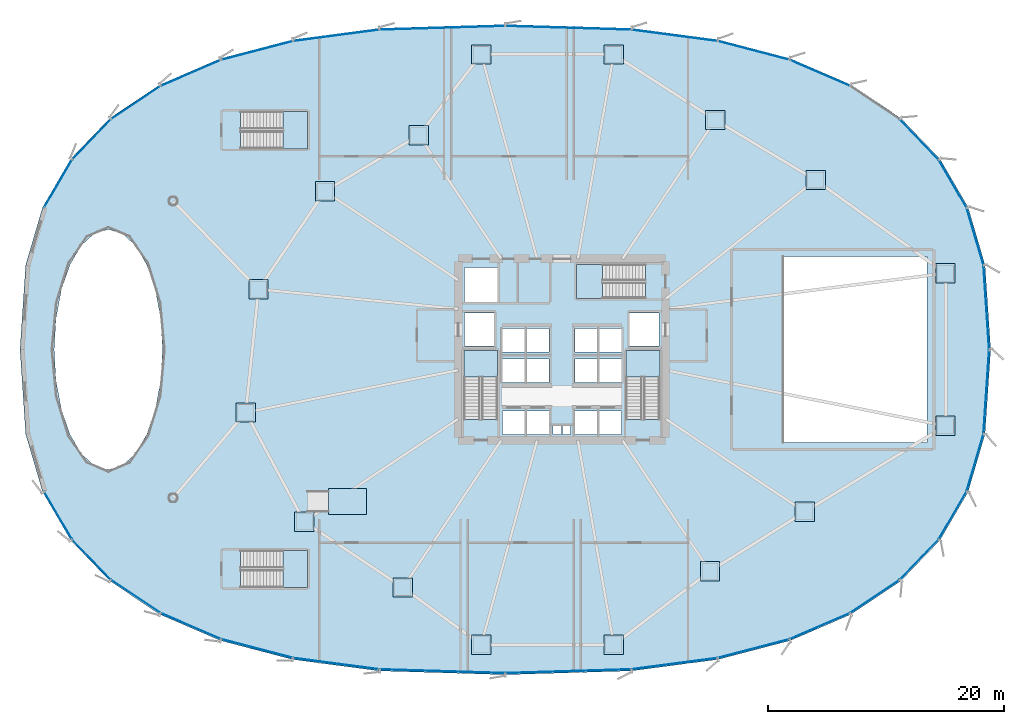
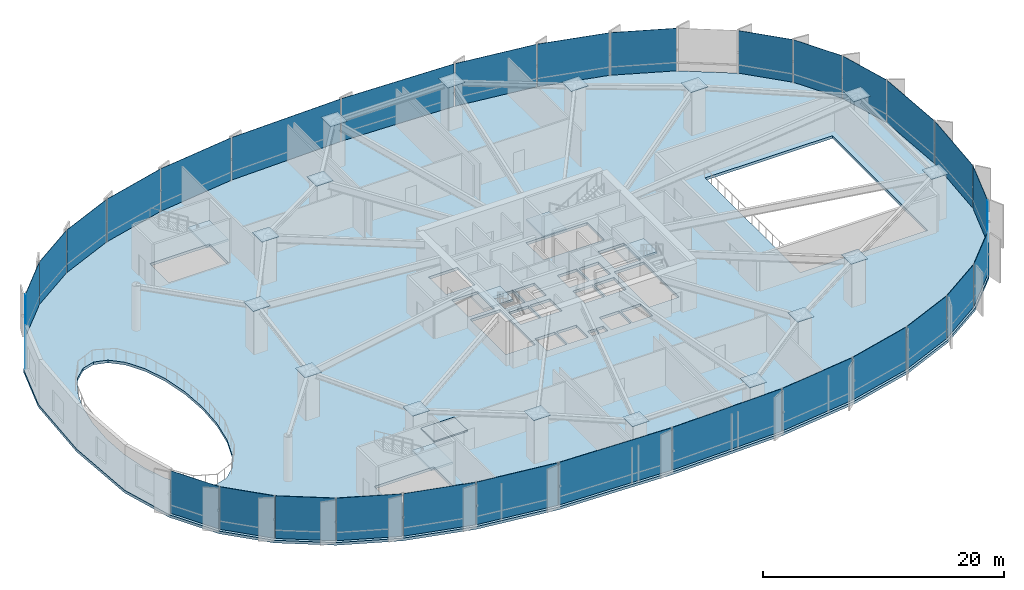
# One storey, part 23 of 34: 47 plates, 7 slabs, 11 elements without a shape of their own.
"""IFC4 building model written with IfcOpenShell, lengths in metres."""

import ifcopenshell
import ifcopenshell.guid

model = None  # the IFC model being written
_history = None  # IfcOwnerHistory: only IFC2X3 demands one
_inside = {}  # id of a spatial element -> (the spatial element, [elements in it])
_under = {}  # id of a project, library or spatial element -> (it, [spatial elements below it])
_declared = {}  # id of a project -> (the project, [libraries it declares])
_typed = {}  # id of a type object -> (the type object, [elements of that type])
_made_of = {}  # id of a material, layer set ... -> (it, [elements and type objects made of it])


def new_model(schema):
    """Start an empty IFC model of exactly this schema.

    Asked for "IFC4X3", IfcOpenShell would pick the latest addendum, in which some entities
    have other attributes; the version numbers below select the first issue.
    IFC2X3 requires an IfcOwnerHistory on every rooted entity: one is made here for all.
    """
    global model, _history
    if schema == "IFC4X3":
        model = ifcopenshell.file(schema_version=(4, 3, 0, 0))
    else:
        model = ifcopenshell.file(schema=schema)
    _inside.clear()
    _under.clear()
    _declared.clear()
    _typed.clear()
    _made_of.clear()
    _history = None
    if model.schema == "IFC2X3":
        org = make("IfcOrganization", Name="unknown")
        user = make(
            "IfcPersonAndOrganization",
            ThePerson=make("IfcPerson", FamilyName="unknown"),
            TheOrganization=org,
        )
        app = make(
            "IfcApplication",
            ApplicationDeveloper=org,
            Version="unknown",
            ApplicationFullName="unknown",
            ApplicationIdentifier="unknown",
        )
        _history = make(
            "IfcOwnerHistory",
            OwningUser=user,
            OwningApplication=app,
            ChangeAction="ADDED",
            CreationDate=0,
        )
    return model


def make(cls, **values):
    """One entity of the class cls with the attributes given. An attribute that is None is left unset."""
    return model.create_entity(
        cls, **{name: value for name, value in values.items() if value is not None}
    )


def rooted(cls, **values):
    """An entity with a GlobalId (a new one), such as an element, a storey or a relation."""
    return make(cls, GlobalId=ifcopenshell.guid.new(), OwnerHistory=_history, **values)


def si_unit(unit_type, name, prefix=None):
    """IfcSIUnit, for example si_unit("LENGTHUNIT", "METRE", prefix="MILLI")."""
    return make("IfcSIUnit", UnitType=unit_type, Prefix=prefix, Name=name)


def assignment(units):
    """IfcUnitAssignment: the units of a project."""
    return None if units is None else make("IfcUnitAssignment", Units=units)


def point(xyz):
    """IfcCartesianPoint."""
    return None if xyz is None else make("IfcCartesianPoint", Coordinates=xyz)


def direction(xyz):
    """IfcDirection."""
    return None if xyz is None else make("IfcDirection", DirectionRatios=xyz)


def frame(location, z_axis=None, x_axis=None):
    """IfcAxis2Placement3D, a coordinate frame: its origin and axes. An axis left out is left unset."""
    return make(
        "IfcAxis2Placement3D",
        Location=point(location),
        Axis=direction(z_axis),
        RefDirection=direction(x_axis),
    )


def frame_2d(location, x_axis=None):
    """IfcAxis2Placement2D, a coordinate frame in the plane: its origin and x axis."""
    return make(
        "IfcAxis2Placement2D", Location=point(location), RefDirection=direction(x_axis)
    )


def origin():
    """The frame at (0, 0, 0) with its axes left unset."""
    return frame((0.0, 0.0, 0.0))


def origin_2d():
    """The frame at (0, 0) in the plane with its x axis left unset."""
    return frame_2d((0.0, 0.0))


def place(relative_to, where):
    """IfcLocalPlacement: puts the frame where relative to a parent placement (None: the world)."""
    return make(
        "IfcLocalPlacement", PlacementRelTo=relative_to, RelativePlacement=where
    )


def context(
    kind, dimensions, precision=None, world=None, true_north=None, identifier=None
):
    """IfcGeometricRepresentationContext, for example the 3D "Model" context."""
    return make(
        "IfcGeometricRepresentationContext",
        ContextIdentifier=identifier,
        ContextType=kind,
        CoordinateSpaceDimension=dimensions,
        Precision=precision,
        WorldCoordinateSystem=world,
        TrueNorth=true_north,
    )


def subcontext(parent, identifier, kind, view, scale=None):
    """IfcGeometricRepresentationSubContext, for example "Body" below "Model"."""
    return make(
        "IfcGeometricRepresentationSubContext",
        ContextIdentifier=identifier,
        ContextType=kind,
        ParentContext=parent,
        TargetScale=scale,
        TargetView=view,
    )


def project(units=None, contexts=None):
    """IfcProject with its units and contexts."""
    return rooted(
        "IfcProject",
        Name="project",
        RepresentationContexts=contexts,
        UnitsInContext=assignment(units),
    )


def spatial(cls, under=None, at=None, **own):
    """A site, building, storey or space (cls), placed at a placement, below another one or the project."""
    s = rooted(cls, ObjectPlacement=at, **own)
    if under is not None:
        _under.setdefault(under.id(), (under, []))[1].append(s)
    return s


def polyline(points):
    """IfcPolyline through the points."""
    return make("IfcPolyline", Points=[point(p) for p in points])


def profile(cls, at=None, kind="AREA", **sizes):
    """A parametric profile (cls). Its sizes go by their IFC names, for example OverallWidth=200.0."""
    return make(cls, ProfileType=kind, Position=at, **sizes)


def rectangle(**sizes):
    """IfcRectangleProfileDef."""
    return profile("IfcRectangleProfileDef", **sizes)


def outline(outer, holes=None, kind="AREA"):
    """IfcArbitraryClosedProfileDef: a profile drawn as a closed curve; with holes, ...WithVoids."""
    if holes is None:
        return make("IfcArbitraryClosedProfileDef", ProfileType=kind, OuterCurve=outer)
    return make(
        "IfcArbitraryProfileDefWithVoids",
        ProfileType=kind,
        OuterCurve=outer,
        InnerCurves=holes,
    )


def extrude(swept, where, along, depth):
    """IfcExtrudedAreaSolid: the profile swept, set in the frame where, extruded along a direction by depth."""
    return make(
        "IfcExtrudedAreaSolid",
        SweptArea=swept,
        Position=where,
        ExtrudedDirection=direction(along),
        Depth=depth,
    )


def shape(context_of_items, identifier, shape_type, items):
    """IfcShapeRepresentation: the items that make up one representation, for example the "Body"."""
    return make(
        "IfcShapeRepresentation",
        ContextOfItems=context_of_items,
        RepresentationIdentifier=identifier,
        RepresentationType=shape_type,
        Items=items,
    )


def source(mapping_origin, context_of_items, identifier, shape_type, items):
    """IfcRepresentationMap: a shape defined once, which mapped items show again and again."""
    return make(
        "IfcRepresentationMap",
        MappingOrigin=mapping_origin,
        MappedRepresentation=shape(context_of_items, identifier, shape_type, items),
    )


def transform(
    local_origin,
    x_axis=None,
    y_axis=None,
    z_axis=None,
    scale=None,
    scale2=None,
    scale3=None,
    uniform=True,
):
    """IfcCartesianTransformationOperator3D, or its non-uniform kind. x_axis, y_axis, z_axis: its Axis1, 2, 3."""
    if uniform:
        return make(
            "IfcCartesianTransformationOperator3D",
            Axis1=direction(x_axis),
            Axis2=direction(y_axis),
            LocalOrigin=point(local_origin),
            Scale=scale,
            Axis3=direction(z_axis),
        )
    return make(
        "IfcCartesianTransformationOperator3DnonUniform",
        Axis1=direction(x_axis),
        Axis2=direction(y_axis),
        LocalOrigin=point(local_origin),
        Scale=scale,
        Axis3=direction(z_axis),
        Scale2=scale2,
        Scale3=scale3,
    )


def mapped(mapping_source, mapping_target):
    """IfcMappedItem: shows the shape of a source again, moved by a transform."""
    return make(
        "IfcMappedItem", MappingSource=mapping_source, MappingTarget=mapping_target
    )


def material(Name=None, Category=None):
    """IfcMaterial."""
    return make("IfcMaterial", Name=Name, Category=Category)


def layer(
    of_material, thickness, ventilated=None, Name=None, Category=None, Priority=None
):
    """IfcMaterialLayer: one layer of a wall or slab, of a material (None: an air gap)."""
    return make(
        "IfcMaterialLayer",
        Material=of_material,
        LayerThickness=thickness,
        IsVentilated=ventilated,
        Name=Name,
        Category=Category,
        Priority=Priority,
    )


def layer_set(layers, Name=None):
    """IfcMaterialLayerSet."""
    return make("IfcMaterialLayerSet", MaterialLayers=layers, LayerSetName=Name)


def made_of(thing, what):
    """Note that an element or type object is made of a material, layer set ...; save() writes the relation."""
    if what is not None:
        _made_of.setdefault(what.id(), (what, []))[1].append(thing)
    return thing


def type_object(cls, material=None, **own):
    """A type object (cls), such as IfcWallType, which elements share."""
    return made_of(rooted(cls, **own), material)


def element(
    cls,
    number,
    at=None,
    inside=None,
    cuts=None,
    type_object=None,
    material=None,
    context=None,
    identifier="Body",
    shape_type=None,
    held_by="IfcProductDefinitionShape",
    body=None,
    shapes=None,
    **own,
):
    """One element of the class cls, such as IfcWall. Its Tag is "e" and its number.

    at: its placement. inside: the storey or other place that contains it. cuts: it is an
    opening in that element (IfcRelVoidsElement). A single representation is given by context,
    identifier, shape_type and body (its items); several are given by shapes. held_by: the class
    of the entity that holds the representations. save() writes the other relations.
    """
    e = rooted(cls, Tag="e%d" % number, ObjectPlacement=at, **own)
    if body is not None:
        shapes = [shape(context, identifier, shape_type, body)]
    if shapes is not None:
        e.Representation = make(held_by, Representations=shapes)
    if inside is not None:
        _inside.setdefault(inside.id(), (inside, []))[1].append(e)
    if cuts is not None:
        rooted(
            "IfcRelVoidsElement", RelatingBuildingElement=cuts, RelatedOpeningElement=e
        )
    if type_object is not None:
        _typed.setdefault(type_object.id(), (type_object, []))[1].append(e)
    return made_of(e, material)


def aggregate(whole, parts):
    """IfcRelAggregates: a whole, such as a stair, and the parts it consists of."""
    return rooted("IfcRelAggregates", RelatingObject=whole, RelatedObjects=parts)


def save(model, path):
    """Write the relations noted so far, then the file.

    IfcRelAggregates (storeys below a building ...), IfcRelContainedInSpatialStructure (elements
    in a storey), IfcRelDefinesByType, IfcRelAssociatesMaterial and IfcRelDeclares: one each for
    every whole, place, type object, material and project.
    """
    for whole, parts in _under.values():
        aggregate(whole, parts)
    for where, things in _inside.values():
        rooted(
            "IfcRelContainedInSpatialStructure",
            RelatedElements=things,
            RelatingStructure=where,
        )
    for kind, things in _typed.values():
        rooted("IfcRelDefinesByType", RelatedObjects=things, RelatingType=kind)
    for what, things in _made_of.values():
        rooted("IfcRelAssociatesMaterial", RelatedObjects=things, RelatingMaterial=what)
    for by, libraries in _declared.values():
        rooted("IfcRelDeclares", RelatingContext=by, RelatedDefinitions=libraries)
    model.write(path)


model = new_model("IFC4")

# Units and contexts
model_context = context("Model", 3, precision=1e-05, world=origin(), true_north=direction((0.0, 1.0)))
body_context = subcontext(model_context, "Body", "Model", "MODEL_VIEW")
ifc_project = project(units=[si_unit("LENGTHUNIT", "METRE"), si_unit("AREAUNIT", "SQUARE_METRE"), si_unit("VOLUMEUNIT", "CUBIC_METRE"), si_unit("PLANEANGLEUNIT", "RADIAN"), si_unit("MASSUNIT", "GRAM", prefix="KILO"), si_unit("THERMODYNAMICTEMPERATUREUNIT", "KELVIN")], contexts=[model_context])

# Site, building, storey
site_placement = place(None, origin())
site = spatial("IfcSite", under=ifc_project, at=site_placement, CompositionType="ELEMENT")
building_placement = place(site_placement, origin())
building = spatial("IfcBuilding", under=site, at=building_placement, Name="Kethvar Cultural Tower", CompositionType="ELEMENT")
storey_placement = place(building_placement, frame((0.0, 0.0, 14.800048828125)))
storey = spatial("IfcBuildingStorey", under=building, at=storey_placement, Name="L03", CompositionType="ELEMENT", Elevation=14.800048828125)

# Slabs
ifc_material_1 = material(Name="Concrete C40/50", Category="concrete")
ifc_layer_1 = layer(ifc_material_1, 0.1201171875, Name="Concrete C40/50", Category="concrete")
ifc_layer_set_1 = layer_set([ifc_layer_1], Name="Concrete C40/50 (120 mm)")
slab_type_1 = type_object("IfcSlabType", Name="SL-DAIS-120", PredefinedType="LANDING", material=ifc_layer_set_1)
slab_1_placement = place(storey_placement, origin())
element("IfcSlab", 1, at=slab_1_placement, inside=storey, type_object=slab_type_1, Name="L03 Exhibition Plinth Landing", PredefinedType="LANDING", context=body_context, shape_type="SweptSolid", body=[
    extrude(outline(polyline([(27.0, 13.800048828125), (30.199951171875, 13.800048828125), (30.199951171875, 16.0), (27.0, 16.0), (27.0, 13.800048828125)])), origin(), (0.0, 0.0, 1.0), 0.119873046875),
])
ifc_layer_2 = layer(ifc_material_1, 0.27001953125, Name="Concrete C40/50", Category="concrete")
ifc_layer_set_2 = layer_set([ifc_layer_2], Name="Concrete C40/50 (270 mm)")
slab_type_2 = type_object("IfcSlabType", Name="SL-POD-270", PredefinedType="FLOOR", material=ifc_layer_set_2)
slab_2_placement = place(storey_placement, frame((0.0, 0.0, -0.27001953125)))
element("IfcSlab", 2, at=slab_2_placement, inside=storey, type_object=slab_type_2, Name="L03 Structural Floor Slab", PredefinedType="FLOOR", context=body_context, shape_type="SweptSolid", body=[
    extrude(outline(polyline([(83.199951171875, 27.800048828125), (82.7177734375, 34.978515625), (81.275146484375, 39.8916015625), (78.884521484375, 43.993896484375), (75.56298828125, 47.44580078125), (71.326416015625, 50.283935546875), (66.17333984375, 52.509033203125), (60.0498046875, 54.110595703125), (52.7158203125, 55.076904296875), (42.0, 55.39990234375), (31.2841796875, 55.076904296875), (23.9501953125, 54.110595703125), (17.82666015625, 52.509033203125), (12.673583984375, 50.283935546875), (8.43701171875, 47.44580078125), (5.115478515625, 43.993896484375), (2.724853515625, 39.8916015625), (1.2822265625, 34.978515625), (0.800048828125, 27.800048828125), (1.2822265625, 20.621337890625), (2.724853515625, 15.708251953125), (5.115478515625, 11.606201171875), (8.43701171875, 8.154296875), (12.673583984375, 5.31591796875), (17.82666015625, 3.091064453125), (23.9501953125, 1.489501953125), (31.2841796875, 0.523193359375), (42.0, 0.199951171875), (52.7158203125, 0.523193359375), (60.0498046875, 1.489501953125), (66.17333984375, 3.091064453125), (71.326416015625, 5.31591796875), (75.56298828125, 8.154296875), (78.884521484375, 11.606201171875), (81.275146484375, 15.708251953125), (82.7177734375, 20.621337890625), (83.199951171875, 27.800048828125)]), holes=[polyline([(38.489990234375, 21.85009765625), (38.489990234375, 27.699951171875), (41.35009765625, 27.699951171875), (41.35009765625, 21.85009765625), (38.489990234375, 21.85009765625)]), polyline([(52.25, 21.85009765625), (52.25, 27.699951171875), (55.110107421875, 27.699951171875), (55.110107421875, 21.85009765625), (52.25, 21.85009765625)]), polyline([(53.89990234375, 32.14990234375), (48.050048828125, 32.14990234375), (48.050048828125, 35.010009765625), (53.89990234375, 35.010009765625), (53.89990234375, 32.14990234375)]), polyline([(19.5, 10.760009765625), (25.199951171875, 10.760009765625), (25.199951171875, 7.60009765625), (19.5, 7.60009765625), (19.5, 10.760009765625)]), polyline([(19.5, 48.0), (25.199951171875, 48.0), (25.199951171875, 44.840087890625), (19.5, 44.840087890625), (19.5, 48.0)]), polyline([(41.75, 22.60009765625), (43.64990234375, 22.60009765625), (43.64990234375, 20.60009765625), (41.75, 20.60009765625), (41.75, 22.60009765625)]), polyline([(43.800048828125, 22.60009765625), (45.699951171875, 22.60009765625), (45.699951171875, 20.60009765625), (43.800048828125, 20.60009765625), (43.800048828125, 22.60009765625)]), polyline([(47.89990234375, 22.60009765625), (49.800048828125, 22.60009765625), (49.800048828125, 20.60009765625), (47.89990234375, 20.60009765625), (47.89990234375, 22.60009765625)]), polyline([(49.949951171875, 22.60009765625), (51.85009765625, 22.60009765625), (51.85009765625, 20.60009765625), (49.949951171875, 20.60009765625), (49.949951171875, 22.60009765625)]), polyline([(41.75, 27.0), (43.64990234375, 27.0), (43.64990234375, 25.0), (41.75, 25.0), (41.75, 27.0)]), polyline([(43.800048828125, 27.0), (45.699951171875, 27.0), (45.699951171875, 25.0), (43.800048828125, 25.0), (43.800048828125, 27.0)]), polyline([(47.89990234375, 27.0), (49.800048828125, 27.0), (49.800048828125, 25.0), (47.89990234375, 25.0), (47.89990234375, 27.0)]), polyline([(49.949951171875, 27.0), (51.85009765625, 27.0), (51.85009765625, 25.0), (49.949951171875, 25.0), (49.949951171875, 27.0)]), polyline([(41.75, 29.60009765625), (43.64990234375, 29.60009765625), (43.64990234375, 27.60009765625), (41.75, 27.60009765625), (41.75, 29.60009765625)]), polyline([(43.800048828125, 29.60009765625), (45.699951171875, 29.60009765625), (45.699951171875, 27.60009765625), (43.800048828125, 27.60009765625), (43.800048828125, 29.60009765625)]), polyline([(47.89990234375, 29.60009765625), (49.800048828125, 29.60009765625), (49.800048828125, 27.60009765625), (47.89990234375, 27.60009765625), (47.89990234375, 29.60009765625)]), polyline([(49.949951171875, 29.60009765625), (51.85009765625, 29.60009765625), (51.85009765625, 27.60009765625), (49.949951171875, 27.60009765625), (49.949951171875, 29.60009765625)]), polyline([(38.550048828125, 30.89990234375), (41.050048828125, 30.89990234375), (41.050048828125, 28.10009765625), (38.550048828125, 28.10009765625), (38.550048828125, 30.89990234375)]), polyline([(52.550048828125, 30.89990234375), (55.050048828125, 30.89990234375), (55.050048828125, 28.10009765625), (52.550048828125, 28.10009765625), (52.550048828125, 30.89990234375)]), polyline([(38.550048828125, 34.75), (41.35009765625, 34.75), (41.35009765625, 31.85009765625), (38.550048828125, 31.85009765625), (38.550048828125, 34.75)]), polyline([(46.050048828125, 21.35009765625), (46.75, 21.35009765625), (46.75, 20.60009765625), (46.050048828125, 20.60009765625), (46.050048828125, 21.35009765625)]), polyline([(46.85009765625, 21.35009765625), (47.550048828125, 21.35009765625), (47.550048828125, 20.60009765625), (46.85009765625, 20.60009765625), (46.85009765625, 21.35009765625)]), polyline([(12.743408203125, 25.159912109375), (12.28369140625, 22.699951171875), (11.552734375, 20.58740234375), (10.60009765625, 18.966552734375), (9.490478515625, 17.947509765625), (8.300048828125, 17.60009765625), (7.109375, 17.947509765625), (6.0, 18.966552734375), (5.04736328125, 20.58740234375), (4.31640625, 22.699951171875), (3.856689453125, 25.159912109375), (3.699951171875, 27.800048828125), (3.856689453125, 30.43994140625), (4.31640625, 32.89990234375), (5.04736328125, 35.012451171875), (6.0, 36.633544921875), (7.109375, 37.65234375), (8.300048828125, 38.0), (9.490478515625, 37.65234375), (10.60009765625, 36.633544921875), (11.552734375, 35.012451171875), (12.28369140625, 32.89990234375), (12.743408203125, 30.43994140625), (12.89990234375, 27.800048828125), (12.743408203125, 25.159912109375)]), polyline([(65.60009765625, 35.699951171875), (77.800048828125, 35.699951171875), (77.800048828125, 19.89990234375), (65.60009765625, 19.89990234375), (65.60009765625, 35.699951171875)])]), origin(), (0.0, 0.0, 1.0), 0.27001953125),
])

# Stair, slab
stair_type_1 = type_object("IfcStairType", Name="ST-DOGLEG-135", PredefinedType="HALF_TURN_STAIR", material=ifc_material_1)
stair_1_placement = place(storey_placement, origin())
stair_1 = element("IfcStair", 3, at=stair_1_placement, inside=storey, type_object=stair_type_1, Name="L03 Core Exit Stair 1", PredefinedType="HALF_TURN_STAIR")
ifc_layer_3 = layer(ifc_material_1, 0.199951171875, Name="Concrete C40/50", Category="concrete")
ifc_layer_set_3 = layer_set([ifc_layer_3], Name="Concrete C40/50 (200 mm)")
slab_type_3 = type_object("IfcSlabType", Name="SL-STAIR-LANDING-200", PredefinedType="LANDING", material=ifc_layer_set_3)
slab_3_placement = place(storey_placement, frame((0.0, 0.0, 2.199951171875)))
slab_3 = element("IfcSlab", 4, at=slab_3_placement, type_object=slab_type_3, Name="ST-01 landing 1", PredefinedType="LANDING", context=body_context, shape_type="SweptSolid", body=[
    extrude(outline(polyline([(41.35009765625, 25.489990234375), (41.35009765625, 27.699951171875), (38.489990234375, 27.699951171875), (38.489990234375, 25.489990234375), (41.35009765625, 25.489990234375)])), origin(), (0.0, 0.0, 1.0), 0.199951171875),
])
aggregate(stair_1, [slab_3])

stair_2_placement = place(storey_placement, origin())
stair_2 = element("IfcStair", 5, at=stair_2_placement, inside=storey, type_object=stair_type_1, Name="L03 Core Exit Stair 2", PredefinedType="HALF_TURN_STAIR")
slab_4_placement = place(storey_placement, frame((0.0, 0.0, 2.199951171875)))
slab_4 = element("IfcSlab", 6, at=slab_4_placement, type_object=slab_type_3, Name="ST-02 landing 1", PredefinedType="LANDING", context=body_context, shape_type="SweptSolid", body=[
    extrude(outline(polyline([(55.110107421875, 25.489990234375), (55.110107421875, 27.699951171875), (52.25, 27.699951171875), (52.25, 25.489990234375), (55.110107421875, 25.489990234375)])), origin(), (0.0, 0.0, 1.0), 0.199951171875),
])
aggregate(stair_2, [slab_4])

stair_3_placement = place(storey_placement, origin())
stair_3 = element("IfcStair", 7, at=stair_3_placement, inside=storey, type_object=stair_type_1, Name="L03 Core Exit Stair 3", PredefinedType="HALF_TURN_STAIR")
slab_5_placement = place(storey_placement, frame((0.0, 0.0, 2.199951171875)))
slab_5 = element("IfcSlab", 8, at=slab_5_placement, type_object=slab_type_3, Name="ST-03 landing 1", PredefinedType="LANDING", context=body_context, shape_type="SweptSolid", body=[
    extrude(outline(polyline([(50.260009765625, 35.010009765625), (48.050048828125, 35.010009765625), (48.050048828125, 32.14990234375), (50.260009765625, 32.14990234375), (50.260009765625, 35.010009765625)])), origin(), (0.0, 0.0, 1.0), 0.199951171875),
])
aggregate(stair_3, [slab_5])

stair_type_2 = type_object("IfcStairType", Name="ST-DOGLEG-150", PredefinedType="HALF_TURN_STAIR", material=ifc_material_1)
stair_4_placement = place(storey_placement, origin())
stair_4 = element("IfcStair", 9, at=stair_4_placement, inside=storey, type_object=stair_type_2, Name="L03 Podium Auditorium Exit Stair 4", PredefinedType="HALF_TURN_STAIR")
slab_6_placement = place(storey_placement, frame((0.0, 0.0, 2.199951171875)))
slab_6 = element("IfcSlab", 10, at=slab_6_placement, type_object=slab_type_3, Name="ST-04 landing 1", PredefinedType="LANDING", context=body_context, shape_type="SweptSolid", body=[
    extrude(outline(polyline([(23.139892578125, 7.60009765625), (25.199951171875, 7.60009765625), (25.199951171875, 10.760009765625), (23.139892578125, 10.760009765625), (23.139892578125, 7.60009765625)])), origin(), (0.0, 0.0, 1.0), 0.199951171875),
])
aggregate(stair_4, [slab_6])

stair_5_placement = place(storey_placement, origin())
stair_5 = element("IfcStair", 11, at=stair_5_placement, inside=storey, type_object=stair_type_2, Name="L03 Podium Auditorium Exit Stair 5", PredefinedType="HALF_TURN_STAIR")
slab_7_placement = place(storey_placement, frame((0.0, 0.0, 2.199951171875)))
slab_7 = element("IfcSlab", 12, at=slab_7_placement, type_object=slab_type_3, Name="ST-05 landing 1", PredefinedType="LANDING", context=body_context, shape_type="SweptSolid", body=[
    extrude(outline(polyline([(23.139892578125, 44.840087890625), (25.199951171875, 44.840087890625), (25.199951171875, 48.0), (23.139892578125, 48.0), (23.139892578125, 44.840087890625)])), origin(), (0.0, 0.0, 1.0), 0.199951171875),
])
aggregate(stair_5, [slab_7])

# Plates
ifc_material_2 = material(Name="Steel S460M", Category="steel")
ifc_layer_4 = layer(ifc_material_2, 0.0400390625, Name="Steel S460M", Category="steel")
ifc_layer_set_4 = layer_set([ifc_layer_4], Name="Steel S460M (40 mm)")
plate_type_1 = type_object("IfcPlateType", Name="PL-ENDCAP-BOX", PredefinedType="SHEET", material=ifc_layer_set_4)
shared_shape_1 = source(origin(), body_context, "Body", "SweptSolid", [
    extrude(rectangle(XDim=1.639892578125, YDim=1.639892578125, at=origin_2d()), origin(), (0.0, 0.0, 1.0), 0.0400390625),
])
for number, where, z_axis, x_axis, name in (
    (13, (79.362060546875, 34.277099609375, 4.489990234375), (0.0, 0.0, 1.0), (1.0, 0.0, 0.0), "L03 Box Column Diaphragm Cap CP-01"),
    (14, (68.33642578125, 42.190185546875, 4.489990234375), (0.0, 0.0, 1.0), (1.0, 0.0, 0.0), "L03 Box Column Diaphragm Cap CP-02"),
    (15, (59.824951171875, 47.293212890625, 4.489990234375), (0.0, 0.0, 1.0), (1.0, 0.0, 0.0), "L03 Box Column Diaphragm Cap CP-03"),
    (16, (51.199951171875, 52.85009765625, 4.489990234375), (0.0, 0.0, 1.0), (1.0, 0.0, 0.0), "L03 Box Column Diaphragm Cap CP-04"),
    (17, (39.949951171875, 52.85009765625, 4.489990234375), (0.0, 0.0, 1.0), (1.0, 0.0, 0.0), "L03 Box Column Diaphragm Cap CP-05"),
    (18, (34.64599609375, 45.98974609375, 4.489990234375), (0.0, 0.0, 1.0), (1.0, 0.0, 0.0), "L03 Box Column Diaphragm Cap CP-06"),
    (19, (26.6845703125, 41.24072265625, 4.489990234375), (0.0, 0.0, 1.0), (1.0, 0.0, 0.0), "L03 Box Column Diaphragm Cap CP-07"),
    (20, (21.047119140625, 32.922607421875, 4.489990234375), (0.0, 0.0, 1.0), (1.0, 0.0, 0.0), "L03 Box Column Diaphragm Cap CP-08"),
    (21, (19.9658203125, 22.46240234375, 4.489990234375), (0.0, 0.0, 1.0), (1.0, 0.0, 0.0), "L03 Box Column Diaphragm Cap CP-09"),
    (22, (24.9248046875, 13.183349609375, 4.489990234375), (0.0, 0.0, 1.0), (1.0, 0.0, 0.0), "L03 Box Column Diaphragm Cap CP-10"),
    (23, (33.302001953125, 7.598876953125, 4.489990234375), (0.0, 0.0, 1.0), (1.0, 0.0, 0.0), "L03 Box Column Diaphragm Cap CP-11"),
    (24, (39.949951171875, 2.75, 4.489990234375), (0.0, 0.0, 1.0), (1.0, 0.0, 0.0), "L03 Box Column Diaphragm Cap CP-12"),
    (25, (51.199951171875, 2.75, 4.489990234375), (0.0, 0.0, 1.0), (1.0, 0.0, 0.0), "L03 Box Column Diaphragm Cap CP-13"),
    (26, (59.370361328125, 8.987060546875, 4.489990234375), (0.0, 0.0, 1.0), (1.0, 0.0, 0.0), "L03 Box Column Diaphragm Cap CP-14"),
    (27, (67.41845703125, 14.023193359375, 4.489990234375), (0.0, 0.0, 1.0), (1.0, 0.0, 0.0), "L03 Box Column Diaphragm Cap CP-15"),
    (28, (79.362060546875, 21.322998046875, 4.489990234375), (0.0, 0.0, 1.0), (1.0, 0.0, 0.0), "L03 Box Column Diaphragm Cap CP-16"),
):
    element("IfcPlate", number, at=place(storey_placement, frame(where, z_axis=z_axis, x_axis=x_axis)), inside=storey, type_object=plate_type_1, Name=name, PredefinedType="SHEET", context=body_context, shape_type="MappedRepresentation", body=[
        mapped(shared_shape_1, transform((0.0, 0.0, 0.0), scale=1.0)),
    ])

# Curtain wall, plate
ifc_material_3 = material(Name="Aluminium 6063-T6", Category="aluminium")
ifc_layer_5 = layer(ifc_material_3, 0.179931640625, Name="Aluminium 6063-T6", Category="aluminium")
ifc_layer_set_5 = layer_set([ifc_layer_5], Name="Aluminium 6063-T6 (180 mm)")
curtain_wall_type = type_object("IfcCurtainWallType", Name="CW-SYS-01-POD", PredefinedType="NOTDEFINED", material=ifc_layer_set_5)
curtain_wall_1_placement = place(storey_placement, origin())
curtain_wall_1 = element("IfcCurtainWall", 29, at=curtain_wall_1_placement, inside=storey, type_object=curtain_wall_type, Name="L03 Curtain Wall Run 01", PredefinedType="NOTDEFINED")
ifc_material_4 = material(Name="Insulated Low-E Solar Glass", Category="glass")
ifc_layer_6 = layer(ifc_material_4, 0.035888671875, Name="Insulated Low-E Solar Glass", Category="glass")
ifc_layer_set_6 = layer_set([ifc_layer_6], Name="Insulated Low-E Solar Glass (36 mm)")
plate_type_2 = type_object("IfcPlateType", Name="CW-SYS-01-POD-PNL", PredefinedType="CURTAIN_PANEL", material=ifc_layer_set_6)
shared_shape_2 = source(origin(), body_context, "Body", "SweptSolid", [
    extrude(rectangle(XDim=7.086669921875, YDim=0.035888671875, at=origin_2d()), origin(), (0.0, 0.0, 1.0), 4.31005859375),
])
plate_1_placement = place(storey_placement, frame((82.8291015625, 31.380615234375, 0.10986328125), z_axis=(0.0, 0.0, 1.0), x_axis=(-0.067040137302, 0.997750279374, 0.0)))
plate_1 = element("IfcPlate", 30, at=plate_1_placement, type_object=plate_type_2, Name="CW-L03-R01 Vision Glazing Panel 1", PredefinedType="CURTAIN_PANEL", context=body_context, shape_type="MappedRepresentation", body=[
    mapped(shared_shape_2, transform((0.0, 0.0, 0.0), scale=1.0)),
])

curtain_wall_2_placement = place(storey_placement, origin())
curtain_wall_2 = element("IfcCurtainWall", 31, at=curtain_wall_2_placement, inside=storey, type_object=curtain_wall_type, Name="L03 Curtain Wall Run 06", PredefinedType="NOTDEFINED")
plate_2_placement = place(storey_placement, frame((82.8291015625, 24.219482421875, 0.10986328125), z_axis=(0.0, 0.0, 1.0), x_axis=(0.067040137302, 0.997750279374, 0.0)))
plate_2 = element("IfcPlate", 32, at=plate_2_placement, type_object=plate_type_2, Name="CW-L03-R06 Vision Glazing Panel 4", PredefinedType="CURTAIN_PANEL", context=body_context, shape_type="MappedRepresentation", body=[
    mapped(shared_shape_2, transform((0.0, 0.0, 0.0), scale=1.0)),
])

# Plate
shared_shape_3 = source(origin(), body_context, "Body", "SweptSolid", [
    extrude(rectangle(XDim=5.012451171875, YDim=0.035888671875, at=origin_2d()), origin(), (0.0, 0.0, 1.0), 4.31005859375),
])
plate_3_placement = place(storey_placement, frame((81.87158203125, 37.398681640625, 0.10986328125), z_axis=(0.0, 0.0, 1.0), x_axis=(-0.28172190008, 0.959496102658, 0.0)))
plate_3 = element("IfcPlate", 33, at=plate_3_placement, type_object=plate_type_2, Name="CW-L03-R01 Vision Glazing Panel 2", PredefinedType="CURTAIN_PANEL", context=body_context, shape_type="MappedRepresentation", body=[
    mapped(shared_shape_3, transform((0.0, 0.0, 0.0), scale=1.0)),
])

plate_4_placement = place(storey_placement, frame((81.87158203125, 18.201416015625, 0.10986328125), z_axis=(0.0, 0.0, 1.0), x_axis=(0.28172190008, 0.959496102658, 0.0)))
plate_4 = element("IfcPlate", 34, at=plate_4_placement, type_object=plate_type_2, Name="CW-L03-R06 Vision Glazing Panel 3", PredefinedType="CURTAIN_PANEL", context=body_context, shape_type="MappedRepresentation", body=[
    mapped(shared_shape_3, transform((0.0, 0.0, 0.0), scale=1.0)),
])

shared_shape_4 = source(origin(), body_context, "Body", "SweptSolid", [
    extrude(rectangle(XDim=4.639892578125, YDim=0.035888671875, at=origin_2d()), origin(), (0.0, 0.0, 1.0), 4.31005859375),
])
plate_5_placement = place(storey_placement, frame((79.967529296875, 41.877197265625, 0.10986328125), z_axis=(0.0, 0.0, 1.0), x_axis=(-0.503517649721, 0.863984939927, 0.0)))
plate_5 = element("IfcPlate", 35, at=plate_5_placement, type_object=plate_type_2, Name="CW-L03-R01 Vision Glazing Panel 3", PredefinedType="CURTAIN_PANEL", context=body_context, shape_type="MappedRepresentation", body=[
    mapped(shared_shape_4, transform((0.0, 0.0, 0.0), scale=1.0)),
])

# Curtain wall, plate
curtain_wall_3_placement = place(storey_placement, origin())
curtain_wall_3 = element("IfcCurtainWall", 36, at=curtain_wall_3_placement, inside=storey, type_object=curtain_wall_type, Name="L03 Curtain Wall Run 03", PredefinedType="NOTDEFINED")
plate_6_placement = place(storey_placement, frame((4.032470703125, 41.877197265625, 0.10986328125), z_axis=(0.0, 0.0, 1.0), x_axis=(-0.503517649721, -0.863984939927, 0.0)))
plate_6 = element("IfcPlate", 37, at=plate_6_placement, type_object=plate_type_2, Name="CW-L03-R03 Vision Glazing Panel 4", PredefinedType="CURTAIN_PANEL", context=body_context, shape_type="MappedRepresentation", body=[
    mapped(shared_shape_4, transform((0.0, 0.0, 0.0), scale=1.0)),
])

curtain_wall_4_placement = place(storey_placement, origin())
curtain_wall_4 = element("IfcCurtainWall", 38, at=curtain_wall_4_placement, inside=storey, type_object=curtain_wall_type, Name="L03 Curtain Wall Run 04", PredefinedType="NOTDEFINED")
plate_7_placement = place(storey_placement, frame((4.032470703125, 13.72265625, 0.10986328125), z_axis=(0.0, 0.0, 1.0), x_axis=(0.503517649721, -0.863984939927, 0.0)))
plate_7 = element("IfcPlate", 39, at=plate_7_placement, type_object=plate_type_2, Name="CW-L03-R04 Vision Glazing Panel 1", PredefinedType="CURTAIN_PANEL", context=body_context, shape_type="MappedRepresentation", body=[
    mapped(shared_shape_4, transform((0.0, 0.0, 0.0), scale=1.0)),
])

# Plate
plate_8_placement = place(storey_placement, frame((79.967529296875, 13.72265625, 0.10986328125), z_axis=(0.0, 0.0, 1.0), x_axis=(0.503517649721, 0.863984939927, 0.0)))
plate_8 = element("IfcPlate", 40, at=plate_8_placement, type_object=plate_type_2, Name="CW-L03-R06 Vision Glazing Panel 2", PredefinedType="CURTAIN_PANEL", context=body_context, shape_type="MappedRepresentation", body=[
    mapped(shared_shape_4, transform((0.0, 0.0, 0.0), scale=1.0)),
])

shared_shape_5 = source(origin(), body_context, "Body", "SweptSolid", [
    extrude(rectangle(XDim=4.682373046875, YDim=0.035888671875, at=origin_2d()), origin(), (0.0, 0.0, 1.0), 4.31005859375),
])
plate_9_placement = place(storey_placement, frame((77.130126953125, 45.629638671875, 0.10986328125), z_axis=(0.0, 0.0, 1.0), x_axis=(-0.693338945689, 0.720611619661, 0.0)))
plate_9 = element("IfcPlate", 41, at=plate_9_placement, type_object=plate_type_2, Name="CW-L03-R01 Vision Glazing Panel 4", PredefinedType="CURTAIN_PANEL", context=body_context, shape_type="MappedRepresentation", body=[
    mapped(shared_shape_5, transform((0.0, 0.0, 0.0), scale=1.0)),
])

plate_10_placement = place(storey_placement, frame((6.869873046875, 45.629638671875, 0.10986328125), z_axis=(0.0, 0.0, 1.0), x_axis=(-0.693338945689, -0.720611619661, 0.0)))
plate_10 = element("IfcPlate", 42, at=plate_10_placement, type_object=plate_type_2, Name="CW-L03-R03 Vision Glazing Panel 3", PredefinedType="CURTAIN_PANEL", context=body_context, shape_type="MappedRepresentation", body=[
    mapped(shared_shape_5, transform((0.0, 0.0, 0.0), scale=1.0)),
])

plate_11_placement = place(storey_placement, frame((6.869873046875, 9.97021484375, 0.10986328125), z_axis=(0.0, 0.0, 1.0), x_axis=(0.693338945689, -0.720611619661, 0.0)))
plate_11 = element("IfcPlate", 43, at=plate_11_placement, type_object=plate_type_2, Name="CW-L03-R04 Vision Glazing Panel 2", PredefinedType="CURTAIN_PANEL", context=body_context, shape_type="MappedRepresentation", body=[
    mapped(shared_shape_5, transform((0.0, 0.0, 0.0), scale=1.0)),
])

plate_12_placement = place(storey_placement, frame((77.130126953125, 9.97021484375, 0.10986328125), z_axis=(0.0, 0.0, 1.0), x_axis=(0.693338945689, 0.720611619661, 0.0)))
plate_12 = element("IfcPlate", 44, at=plate_12_placement, type_object=plate_type_2, Name="CW-L03-R06 Vision Glazing Panel 1", PredefinedType="CURTAIN_PANEL", context=body_context, shape_type="MappedRepresentation", body=[
    mapped(shared_shape_5, transform((0.0, 0.0, 0.0), scale=1.0)),
])

aggregate(curtain_wall_2, [plate_12, plate_8, plate_4, plate_2])

shared_shape_6 = source(origin(), body_context, "Body", "SweptSolid", [
    extrude(rectangle(XDim=4.99169921875, YDim=0.035888671875, at=origin_2d()), origin(), (0.0, 0.0, 1.0), 4.31005859375),
])
plate_13_placement = place(storey_placement, frame((10.627685546875, 48.7568359375, 0.10986328125), z_axis=(0.0, 0.0, 1.0), x_axis=(-0.830809662848, -0.556556649514, 0.0)))
plate_13 = element("IfcPlate", 45, at=plate_13_placement, type_object=plate_type_2, Name="CW-L03-R03 Vision Glazing Panel 2", PredefinedType="CURTAIN_PANEL", context=body_context, shape_type="MappedRepresentation", body=[
    mapped(shared_shape_6, transform((0.0, 0.0, 0.0), scale=1.0)),
])

plate_14_placement = place(storey_placement, frame((10.627685546875, 6.84326171875, 0.10986328125), z_axis=(0.0, 0.0, 1.0), x_axis=(0.830809662848, -0.556556649514, 0.0)))
plate_14 = element("IfcPlate", 46, at=plate_14_placement, type_object=plate_type_2, Name="CW-L03-R04 Vision Glazing Panel 3", PredefinedType="CURTAIN_PANEL", context=body_context, shape_type="MappedRepresentation", body=[
    mapped(shared_shape_6, transform((0.0, 0.0, 0.0), scale=1.0)),
])

# Curtain wall, plate
curtain_wall_5_placement = place(storey_placement, origin())
curtain_wall_5 = element("IfcCurtainWall", 47, at=curtain_wall_5_placement, inside=storey, type_object=curtain_wall_type, Name="L03 Curtain Wall Run 05", PredefinedType="NOTDEFINED")
plate_15_placement = place(storey_placement, frame((73.372314453125, 6.84326171875, 0.10986328125), z_axis=(0.0, 0.0, 1.0), x_axis=(0.830809662848, 0.556556649514, 0.0)))
plate_15 = element("IfcPlate", 48, at=plate_15_placement, type_object=plate_type_2, Name="CW-L03-R05 Vision Glazing Panel 6", PredefinedType="CURTAIN_PANEL", context=body_context, shape_type="MappedRepresentation", body=[
    mapped(shared_shape_6, transform((0.0, 0.0, 0.0), scale=1.0)),
])

# Plate
shared_shape_7 = source(origin(), body_context, "Body", "SweptSolid", [
    extrude(rectangle(XDim=5.5048828125, YDim=0.035888671875, at=origin_2d()), origin(), (0.0, 0.0, 1.0), 4.31005859375),
])
plate_16_placement = place(storey_placement, frame((68.6982421875, 51.277099609375, 0.10986328125), z_axis=(0.0, 0.0, 1.0), x_axis=(-0.918073180633, 0.396410942082, 0.0)))
plate_16 = element("IfcPlate", 49, at=plate_16_placement, type_object=plate_type_2, Name="CW-L03-R01 Vision Glazing Panel 6", PredefinedType="CURTAIN_PANEL", context=body_context, shape_type="MappedRepresentation", body=[
    mapped(shared_shape_7, transform((0.0, 0.0, 0.0), scale=1.0)),
])

aggregate(curtain_wall_1, [plate_1, plate_3, plate_5, plate_9, plate_16])

plate_17_placement = place(storey_placement, frame((15.3017578125, 51.277099609375, 0.10986328125), z_axis=(0.0, 0.0, 1.0), x_axis=(-0.918073180633, -0.396410942082, 0.0)))
plate_17 = element("IfcPlate", 50, at=plate_17_placement, type_object=plate_type_2, Name="CW-L03-R03 Vision Glazing Panel 1", PredefinedType="CURTAIN_PANEL", context=body_context, shape_type="MappedRepresentation", body=[
    mapped(shared_shape_7, transform((0.0, 0.0, 0.0), scale=1.0)),
])

aggregate(curtain_wall_3, [plate_17, plate_13, plate_10, plate_6])

plate_18_placement = place(storey_placement, frame((15.3017578125, 4.32275390625, 0.10986328125), z_axis=(0.0, 0.0, 1.0), x_axis=(0.918073180633, -0.396410942082, 0.0)))
plate_18 = element("IfcPlate", 51, at=plate_18_placement, type_object=plate_type_2, Name="CW-L03-R04 Vision Glazing Panel 4", PredefinedType="CURTAIN_PANEL", context=body_context, shape_type="MappedRepresentation", body=[
    mapped(shared_shape_7, transform((0.0, 0.0, 0.0), scale=1.0)),
])

plate_19_placement = place(storey_placement, frame((68.6982421875, 4.32275390625, 0.10986328125), z_axis=(0.0, 0.0, 1.0), x_axis=(0.918073180633, 0.396410942082, 0.0)))
plate_19 = element("IfcPlate", 52, at=plate_19_placement, type_object=plate_type_2, Name="CW-L03-R05 Vision Glazing Panel 5", PredefinedType="CURTAIN_PANEL", context=body_context, shape_type="MappedRepresentation", body=[
    mapped(shared_shape_7, transform((0.0, 0.0, 0.0), scale=1.0)),
])

# Curtain wall, plates
curtain_wall_6_placement = place(storey_placement, origin())
curtain_wall_6 = element("IfcCurtainWall", 53, at=curtain_wall_6_placement, inside=storey, type_object=curtain_wall_type, Name="L03 Curtain Wall Run 02", PredefinedType="NOTDEFINED")
shared_shape_8 = source(origin(), body_context, "Body", "SweptSolid", [
    extrude(rectangle(XDim=6.221435546875, YDim=0.035888671875, at=origin_2d()), origin(), (0.0, 0.0, 1.0), 4.31005859375),
])
plate_20_placement = place(storey_placement, frame((63.07861328125, 53.18408203125, 0.10986328125), z_axis=(0.0, 0.0, 1.0), x_axis=(-0.967457923558, 0.253031946887, 0.0)))
plate_20 = element("IfcPlate", 54, at=plate_20_placement, type_object=plate_type_2, Name="CW-L03-R02 Vision Glazing Panel 1", PredefinedType="CURTAIN_PANEL", context=body_context, shape_type="MappedRepresentation", body=[
    mapped(shared_shape_8, transform((0.0, 0.0, 0.0), scale=1.0)),
])
plate_21_placement = place(storey_placement, frame((20.92138671875, 53.18408203125, 0.10986328125), z_axis=(0.0, 0.0, 1.0), x_axis=(-0.967457923558, -0.253031946887, 0.0)))
plate_21 = element("IfcPlate", 55, at=plate_21_placement, type_object=plate_type_2, Name="CW-L03-R02 Vision Glazing Panel 6", PredefinedType="CURTAIN_PANEL", context=body_context, shape_type="MappedRepresentation", body=[
    mapped(shared_shape_8, transform((0.0, 0.0, 0.0), scale=1.0)),
])

# Plate
plate_22_placement = place(storey_placement, frame((20.92138671875, 2.416015625, 0.10986328125), z_axis=(0.0, 0.0, 1.0), x_axis=(0.967457923558, -0.253031946887, 0.0)))
plate_22 = element("IfcPlate", 56, at=plate_22_placement, type_object=plate_type_2, Name="CW-L03-R04 Vision Glazing Panel 5", PredefinedType="CURTAIN_PANEL", context=body_context, shape_type="MappedRepresentation", body=[
    mapped(shared_shape_8, transform((0.0, 0.0, 0.0), scale=1.0)),
])

plate_23_placement = place(storey_placement, frame((63.07861328125, 2.416015625, 0.10986328125), z_axis=(0.0, 0.0, 1.0), x_axis=(0.967457923558, 0.253031946887, 0.0)))
plate_23 = element("IfcPlate", 57, at=plate_23_placement, type_object=plate_type_2, Name="CW-L03-R05 Vision Glazing Panel 4", PredefinedType="CURTAIN_PANEL", context=body_context, shape_type="MappedRepresentation", body=[
    mapped(shared_shape_8, transform((0.0, 0.0, 0.0), scale=1.0)),
])

shared_shape_9 = source(origin(), body_context, "Body", "SweptSolid", [
    extrude(rectangle(XDim=7.289306640625, YDim=0.035888671875, at=origin_2d()), origin(), (0.0, 0.0, 1.0), 4.31005859375),
])
plate_24_placement = place(storey_placement, frame((56.365966796875, 54.46484375, 0.10986328125), z_axis=(0.0, 0.0, 1.0), x_axis=(-0.991428907192, 0.130647319086, 0.0)))
plate_24 = element("IfcPlate", 58, at=plate_24_placement, type_object=plate_type_2, Name="CW-L03-R02 Vision Glazing Panel 2", PredefinedType="CURTAIN_PANEL", context=body_context, shape_type="MappedRepresentation", body=[
    mapped(shared_shape_9, transform((0.0, 0.0, 0.0), scale=1.0)),
])

plate_25_placement = place(storey_placement, frame((27.634033203125, 54.46484375, 0.10986328125), z_axis=(0.0, 0.0, 1.0), x_axis=(-0.991428907192, -0.130647319086, 0.0)))
plate_25 = element("IfcPlate", 59, at=plate_25_placement, type_object=plate_type_2, Name="CW-L03-R02 Vision Glazing Panel 5", PredefinedType="CURTAIN_PANEL", context=body_context, shape_type="MappedRepresentation", body=[
    mapped(shared_shape_9, transform((0.0, 0.0, 0.0), scale=1.0)),
])

plate_26_placement = place(storey_placement, frame((27.634033203125, 1.135009765625, 0.10986328125), z_axis=(0.0, 0.0, 1.0), x_axis=(0.991428907192, -0.130647319086, 0.0)))
plate_26 = element("IfcPlate", 60, at=plate_26_placement, type_object=plate_type_2, Name="CW-L03-R04 Vision Glazing Panel 6", PredefinedType="CURTAIN_PANEL", context=body_context, shape_type="MappedRepresentation", body=[
    mapped(shared_shape_9, transform((0.0, 0.0, 0.0), scale=1.0)),
])

aggregate(curtain_wall_4, [plate_7, plate_11, plate_14, plate_18, plate_22, plate_26])

plate_27_placement = place(storey_placement, frame((56.365966796875, 1.135009765625, 0.10986328125), z_axis=(0.0, 0.0, 1.0), x_axis=(0.991428907192, 0.130647319086, 0.0)))
plate_27 = element("IfcPlate", 61, at=plate_27_placement, type_object=plate_type_2, Name="CW-L03-R05 Vision Glazing Panel 3", PredefinedType="CURTAIN_PANEL", context=body_context, shape_type="MappedRepresentation", body=[
    mapped(shared_shape_9, transform((0.0, 0.0, 0.0), scale=1.0)),
])

shared_shape_10 = source(origin(), body_context, "Body", "SweptSolid", [
    extrude(rectangle(XDim=10.61279296875, YDim=0.035888671875, at=origin_2d()), origin(), (0.0, 0.0, 1.0), 4.31005859375),
])
plate_28_placement = place(storey_placement, frame((47.35400390625, 55.1083984375, 0.10986328125), z_axis=(0.0, 0.0, 1.0), x_axis=(-0.999545769248, 0.030137272261, 0.0)))
plate_28 = element("IfcPlate", 62, at=plate_28_placement, type_object=plate_type_2, Name="CW-L03-R02 Vision Glazing Panel 3", PredefinedType="CURTAIN_PANEL", context=body_context, shape_type="MappedRepresentation", body=[
    mapped(shared_shape_10, transform((0.0, 0.0, 0.0), scale=1.0)),
])

plate_29_placement = place(storey_placement, frame((36.64599609375, 55.1083984375, 0.10986328125), z_axis=(0.0, 0.0, 1.0), x_axis=(-0.999545769248, -0.030137272261, 0.0)))
plate_29 = element("IfcPlate", 63, at=plate_29_placement, type_object=plate_type_2, Name="CW-L03-R02 Vision Glazing Panel 4", PredefinedType="CURTAIN_PANEL", context=body_context, shape_type="MappedRepresentation", body=[
    mapped(shared_shape_10, transform((0.0, 0.0, 0.0), scale=1.0)),
])

aggregate(curtain_wall_6, [plate_20, plate_24, plate_28, plate_29, plate_25, plate_21])

plate_30_placement = place(storey_placement, frame((36.64599609375, 0.491455078125, 0.10986328125), z_axis=(0.0, 0.0, 1.0), x_axis=(0.999545769248, -0.030137272261, 0.0)))
plate_30 = element("IfcPlate", 64, at=plate_30_placement, type_object=plate_type_2, Name="CW-L03-R05 Vision Glazing Panel 1", PredefinedType="CURTAIN_PANEL", context=body_context, shape_type="MappedRepresentation", body=[
    mapped(shared_shape_10, transform((0.0, 0.0, 0.0), scale=1.0)),
])

plate_31_placement = place(storey_placement, frame((47.35400390625, 0.491455078125, 0.10986328125), z_axis=(0.0, 0.0, 1.0), x_axis=(0.999545769248, 0.030137272261, 0.0)))
plate_31 = element("IfcPlate", 65, at=plate_31_placement, type_object=plate_type_2, Name="CW-L03-R05 Vision Glazing Panel 2", PredefinedType="CURTAIN_PANEL", context=body_context, shape_type="MappedRepresentation", body=[
    mapped(shared_shape_10, transform((0.0, 0.0, 0.0), scale=1.0)),
])

aggregate(curtain_wall_5, [plate_30, plate_31, plate_27, plate_23, plate_19, plate_15])

save(model, "model.ifc")
